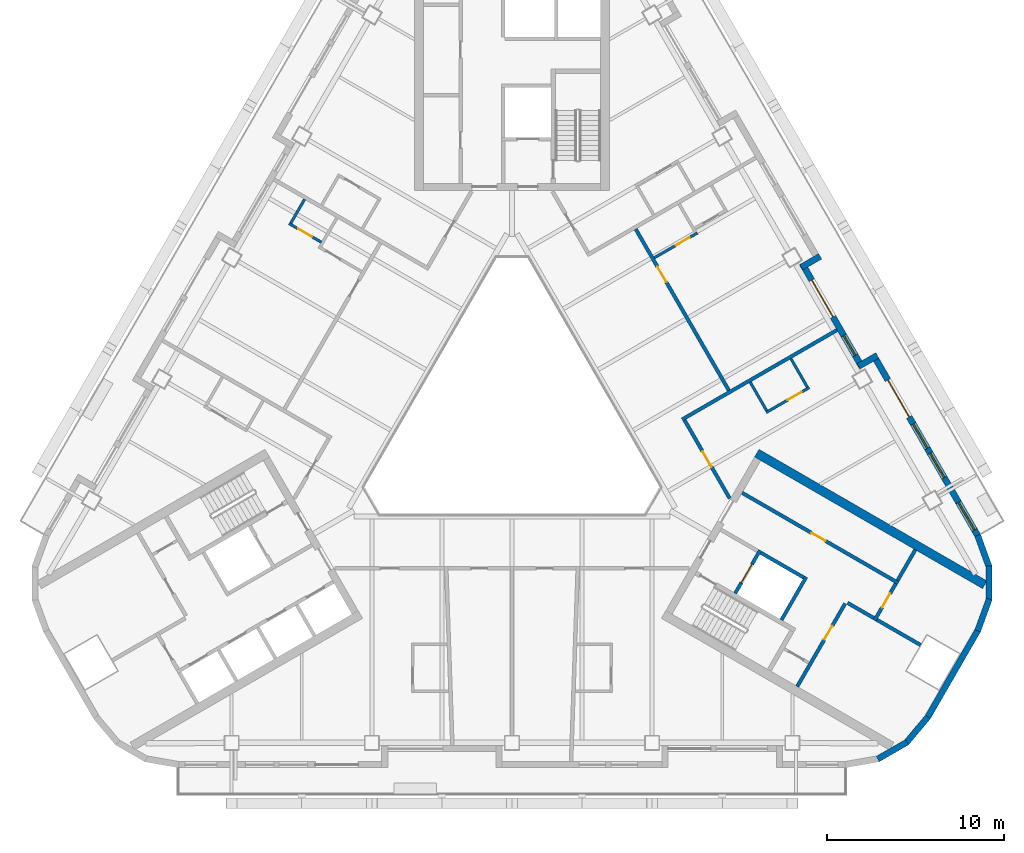
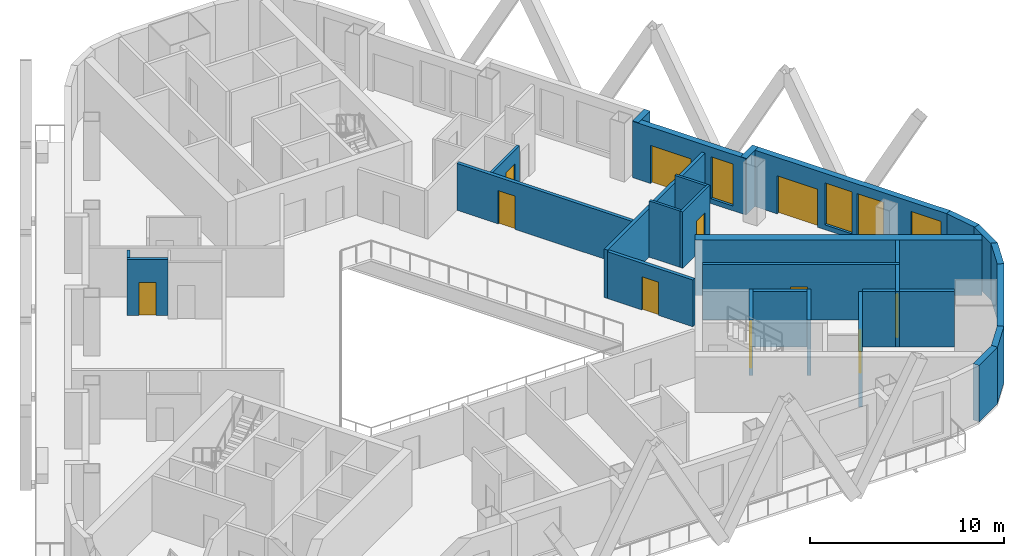
# One storey, part 5 of 13: 29 walls, 11 doors, 4 windows, 15 openings.
"""IFC4 building model written with IfcOpenShell, lengths in metres."""

import ifcopenshell
import ifcopenshell.guid

model = None  # the IFC model being written
_history = None  # IfcOwnerHistory: only IFC2X3 demands one
_inside = {}  # id of a spatial element -> (the spatial element, [elements in it])
_under = {}  # id of a project, library or spatial element -> (it, [spatial elements below it])
_declared = {}  # id of a project -> (the project, [libraries it declares])
_typed = {}  # id of a type object -> (the type object, [elements of that type])
_made_of = {}  # id of a material, layer set ... -> (it, [elements and type objects made of it])


def new_model(schema):
    """Start an empty IFC model of exactly this schema.

    Asked for "IFC4X3", IfcOpenShell would pick the latest addendum, in which some entities
    have other attributes; the version numbers below select the first issue.
    IFC2X3 requires an IfcOwnerHistory on every rooted entity: one is made here for all.
    """
    global model, _history
    if schema == "IFC4X3":
        model = ifcopenshell.file(schema_version=(4, 3, 0, 0))
    else:
        model = ifcopenshell.file(schema=schema)
    _inside.clear()
    _under.clear()
    _declared.clear()
    _typed.clear()
    _made_of.clear()
    _history = None
    if model.schema == "IFC2X3":
        org = make("IfcOrganization", Name="unknown")
        user = make(
            "IfcPersonAndOrganization",
            ThePerson=make("IfcPerson", FamilyName="unknown"),
            TheOrganization=org,
        )
        app = make(
            "IfcApplication",
            ApplicationDeveloper=org,
            Version="unknown",
            ApplicationFullName="unknown",
            ApplicationIdentifier="unknown",
        )
        _history = make(
            "IfcOwnerHistory",
            OwningUser=user,
            OwningApplication=app,
            ChangeAction="ADDED",
            CreationDate=0,
        )
    return model


def make(cls, **values):
    """One entity of the class cls with the attributes given. An attribute that is None is left unset."""
    return model.create_entity(
        cls, **{name: value for name, value in values.items() if value is not None}
    )


def rooted(cls, **values):
    """An entity with a GlobalId (a new one), such as an element, a storey or a relation."""
    return make(cls, GlobalId=ifcopenshell.guid.new(), OwnerHistory=_history, **values)


def si_unit(unit_type, name, prefix=None):
    """IfcSIUnit, for example si_unit("LENGTHUNIT", "METRE", prefix="MILLI")."""
    return make("IfcSIUnit", UnitType=unit_type, Prefix=prefix, Name=name)


def assignment(units):
    """IfcUnitAssignment: the units of a project."""
    return None if units is None else make("IfcUnitAssignment", Units=units)


def point(xyz):
    """IfcCartesianPoint."""
    return None if xyz is None else make("IfcCartesianPoint", Coordinates=xyz)


def direction(xyz):
    """IfcDirection."""
    return None if xyz is None else make("IfcDirection", DirectionRatios=xyz)


def frame(location, z_axis=None, x_axis=None):
    """IfcAxis2Placement3D, a coordinate frame: its origin and axes. An axis left out is left unset."""
    return make(
        "IfcAxis2Placement3D",
        Location=point(location),
        Axis=direction(z_axis),
        RefDirection=direction(x_axis),
    )


def frame_2d(location, x_axis=None):
    """IfcAxis2Placement2D, a coordinate frame in the plane: its origin and x axis."""
    return make(
        "IfcAxis2Placement2D", Location=point(location), RefDirection=direction(x_axis)
    )


def origin():
    """The frame at (0, 0, 0) with its axes left unset."""
    return frame((0.0, 0.0, 0.0))


def place(relative_to, where):
    """IfcLocalPlacement: puts the frame where relative to a parent placement (None: the world)."""
    return make(
        "IfcLocalPlacement", PlacementRelTo=relative_to, RelativePlacement=where
    )


def context(
    kind, dimensions, precision=None, world=None, true_north=None, identifier=None
):
    """IfcGeometricRepresentationContext, for example the 3D "Model" context."""
    return make(
        "IfcGeometricRepresentationContext",
        ContextIdentifier=identifier,
        ContextType=kind,
        CoordinateSpaceDimension=dimensions,
        Precision=precision,
        WorldCoordinateSystem=world,
        TrueNorth=true_north,
    )


def subcontext(parent, identifier, kind, view, scale=None):
    """IfcGeometricRepresentationSubContext, for example "Body" below "Model"."""
    return make(
        "IfcGeometricRepresentationSubContext",
        ContextIdentifier=identifier,
        ContextType=kind,
        ParentContext=parent,
        TargetScale=scale,
        TargetView=view,
    )


def project(units=None, contexts=None):
    """IfcProject with its units and contexts."""
    return rooted(
        "IfcProject",
        Name="project",
        RepresentationContexts=contexts,
        UnitsInContext=assignment(units),
    )


def spatial(cls, under=None, at=None, **own):
    """A site, building, storey or space (cls), placed at a placement, below another one or the project."""
    s = rooted(cls, ObjectPlacement=at, **own)
    if under is not None:
        _under.setdefault(under.id(), (under, []))[1].append(s)
    return s


def profile(cls, at=None, kind="AREA", **sizes):
    """A parametric profile (cls). Its sizes go by their IFC names, for example OverallWidth=200.0."""
    return make(cls, ProfileType=kind, Position=at, **sizes)


def rectangle(**sizes):
    """IfcRectangleProfileDef."""
    return profile("IfcRectangleProfileDef", **sizes)


def extrude(swept, where, along, depth):
    """IfcExtrudedAreaSolid: the profile swept, set in the frame where, extruded along a direction by depth."""
    return make(
        "IfcExtrudedAreaSolid",
        SweptArea=swept,
        Position=where,
        ExtrudedDirection=direction(along),
        Depth=depth,
    )


def shape(context_of_items, identifier, shape_type, items):
    """IfcShapeRepresentation: the items that make up one representation, for example the "Body"."""
    return make(
        "IfcShapeRepresentation",
        ContextOfItems=context_of_items,
        RepresentationIdentifier=identifier,
        RepresentationType=shape_type,
        Items=items,
    )


def material(Name=None, Category=None):
    """IfcMaterial."""
    return make("IfcMaterial", Name=Name, Category=Category)


def layer(
    of_material, thickness, ventilated=None, Name=None, Category=None, Priority=None
):
    """IfcMaterialLayer: one layer of a wall or slab, of a material (None: an air gap)."""
    return make(
        "IfcMaterialLayer",
        Material=of_material,
        LayerThickness=thickness,
        IsVentilated=ventilated,
        Name=Name,
        Category=Category,
        Priority=Priority,
    )


def layer_set(layers, Name=None):
    """IfcMaterialLayerSet."""
    return make("IfcMaterialLayerSet", MaterialLayers=layers, LayerSetName=Name)


def made_of(thing, what):
    """Note that an element or type object is made of a material, layer set ...; save() writes the relation."""
    if what is not None:
        _made_of.setdefault(what.id(), (what, []))[1].append(thing)
    return thing


def type_object(cls, material=None, **own):
    """A type object (cls), such as IfcWallType, which elements share."""
    return made_of(rooted(cls, **own), material)


def element(
    cls,
    number,
    at=None,
    inside=None,
    cuts=None,
    type_object=None,
    material=None,
    context=None,
    identifier="Body",
    shape_type=None,
    held_by="IfcProductDefinitionShape",
    body=None,
    shapes=None,
    **own,
):
    """One element of the class cls, such as IfcWall. Its Tag is "e" and its number.

    at: its placement. inside: the storey or other place that contains it. cuts: it is an
    opening in that element (IfcRelVoidsElement). A single representation is given by context,
    identifier, shape_type and body (its items); several are given by shapes. held_by: the class
    of the entity that holds the representations. save() writes the other relations.
    """
    e = rooted(cls, Tag="e%d" % number, ObjectPlacement=at, **own)
    if body is not None:
        shapes = [shape(context, identifier, shape_type, body)]
    if shapes is not None:
        e.Representation = make(held_by, Representations=shapes)
    if inside is not None:
        _inside.setdefault(inside.id(), (inside, []))[1].append(e)
    if cuts is not None:
        rooted(
            "IfcRelVoidsElement", RelatingBuildingElement=cuts, RelatedOpeningElement=e
        )
    if type_object is not None:
        _typed.setdefault(type_object.id(), (type_object, []))[1].append(e)
    return made_of(e, material)


def fill(opening, filler):
    """IfcRelFillsElement: the door or window that sits in an opening."""
    return rooted(
        "IfcRelFillsElement",
        RelatingOpeningElement=opening,
        RelatedBuildingElement=filler,
    )


def aggregate(whole, parts):
    """IfcRelAggregates: a whole, such as a stair, and the parts it consists of."""
    return rooted("IfcRelAggregates", RelatingObject=whole, RelatedObjects=parts)


def save(model, path):
    """Write the relations noted so far, then the file.

    IfcRelAggregates (storeys below a building ...), IfcRelContainedInSpatialStructure (elements
    in a storey), IfcRelDefinesByType, IfcRelAssociatesMaterial and IfcRelDeclares: one each for
    every whole, place, type object, material and project.
    """
    for whole, parts in _under.values():
        aggregate(whole, parts)
    for where, things in _inside.values():
        rooted(
            "IfcRelContainedInSpatialStructure",
            RelatedElements=things,
            RelatingStructure=where,
        )
    for kind, things in _typed.values():
        rooted("IfcRelDefinesByType", RelatedObjects=things, RelatingType=kind)
    for what, things in _made_of.values():
        rooted("IfcRelAssociatesMaterial", RelatedObjects=things, RelatingMaterial=what)
    for by, libraries in _declared.values():
        rooted("IfcRelDeclares", RelatingContext=by, RelatedDefinitions=libraries)
    model.write(path)


model = new_model("IFC4")

# Units and contexts
model_context = context("Model", 3, precision=1e-05, world=origin(), true_north=direction((0.0, 1.0)))
body_context = subcontext(model_context, "Body", "Model", "MODEL_VIEW")
ifc_project = project(units=[si_unit("LENGTHUNIT", "METRE"), si_unit("AREAUNIT", "SQUARE_METRE"), si_unit("VOLUMEUNIT", "CUBIC_METRE"), si_unit("PLANEANGLEUNIT", "RADIAN"), si_unit("MASSUNIT", "GRAM", prefix="KILO")], contexts=[model_context])

# Site, building, storey
site_placement = place(None, origin())
site = spatial("IfcSite", under=ifc_project, at=site_placement, CompositionType="ELEMENT")
building_placement = place(site_placement, origin())
building = spatial("IfcBuilding", under=site, at=building_placement, Name="Apuvela Tower Hotel", CompositionType="ELEMENT")
storey_placement = place(building_placement, frame((0.0, 0.0, 183.60009765625)))
storey = spatial("IfcBuildingStorey", under=building, at=storey_placement, Name="L44", CompositionType="ELEMENT", Elevation=183.60009765625)

# Wall
ifc_material_1 = material(Name="Concrete C50/60", Category="concrete")
ifc_layer_1 = layer(ifc_material_1, 0.5)
ifc_layer_set_1 = layer_set([ifc_layer_1], Name="COR-WALL-CORE-500")
wall_type_1 = type_object("IfcWallType", Name="COR-WALL-CORE-500", PredefinedType="SHEAR", material=ifc_layer_set_1)
wall_1_placement = place(storey_placement, frame((13.796630859375, -1.9033203125, 0.0), z_axis=(0.0, 0.0, 1.0), x_axis=(0.866025009528, -0.500000682871, 0.0)))
element("IfcWall", 1, at=wall_1_placement, inside=storey, type_object=wall_type_1, Name="Core wall SE", PredefinedType="SHEAR", context=body_context, shape_type="SweptSolid", body=[
    extrude(rectangle(XDim=14.8369140625, YDim=0.5, at=frame_2d((7.41845703125, 0.0))), origin(), (0.0, 0.0, 1.0), 3.5),
])

# Wall, opening, door
ifc_material_2 = material(Name="Blockwork 200 mm plastered", Category="masonry")
ifc_layer_2 = layer(ifc_material_2, 0.199951171875)
ifc_layer_set_2 = layer_set([ifc_layer_2], Name="COR-WALL-PART-200")
wall_type_2 = type_object("IfcWallType", Name="COR-WALL-PART-200", PredefinedType="PARTITIONING", material=ifc_layer_set_2)
wall_2_placement = place(storey_placement, frame((16.076171875, -15.05517578125, 0.0), z_axis=(0.0, 0.0, 1.0), x_axis=(0.499995103361, 0.866028230842, 0.0)))
wall_2 = element("IfcWall", 2, at=wall_2_placement, inside=storey, type_object=wall_type_2, Name="Partition SE", PredefinedType="PARTITIONING", context=body_context, shape_type="SweptSolid", body=[
    extrude(rectangle(XDim=5.39990234375, YDim=0.199951171875, at=frame_2d((2.699951171875, 0.0))), origin(), (0.0, 0.0, 1.0), 3.5),
])
opening_1_placement = place(wall_2_placement, frame((3.050048828125, 0.0, 0.0)))
opening_1 = element("IfcOpeningElement", 3, at=opening_1_placement, cuts=wall_2, Name="Opening E-RS1", PredefinedType="OPENING", context=body_context, shape_type="SweptSolid", body=[
    extrude(rectangle(XDim=0.89990234375, YDim=2.10009765625, at=frame_2d((0.449951171875, 1.050048828125))), frame((0.0, 0.10986328125, 0.0), z_axis=(0.0, -1.0, 0.0), x_axis=(1.0, 0.0, 0.0)), (0.0, 0.0, 1.0), 0.219970703125),
])
ifc_material_3 = material(Name="Steel fire door, powder coated", Category="steel")
door_type_1 = type_object("IfcDoorType", Name="COR-DR-900", OperationType="NOTDEFINED", PredefinedType="DOOR", material=ifc_material_3)
door_1_placement = place(opening_1_placement, frame((0.89990234375, 0.0, 0.0), z_axis=(0.0, 0.0, 1.0), x_axis=(-1.0, 0.0, 0.0)))
door_1 = element("IfcDoor", 4, at=door_1_placement, inside=storey, type_object=door_type_1, Name="Store door E-RS1", OperationType="SINGLE_SWING_LEFT", OverallHeight=2.10009765625, OverallWidth=0.89990234375, PredefinedType="DOOR", context=body_context, shape_type="SweptSolid", body=[
    extrude(rectangle(XDim=0.89990234375, YDim=2.10009765625, at=frame_2d((0.449951171875, 1.050048828125))), frame((0.0, 0.02490234375, 0.0), z_axis=(0.0, -1.0, 0.0), x_axis=(1.0, 0.0, 0.0)), (0.0, 0.0, 1.0), 0.050048828125),
])
fill(opening_1, door_1)

# Wall
ifc_layer_3 = layer(ifc_material_1, 0.199951171875)
ifc_layer_set_3 = layer_set([ifc_layer_3], Name="COR-WALL-SHAFT-200")
wall_type_3 = type_object("IfcWallType", Name="COR-WALL-SHAFT-200", PredefinedType="SHEAR", material=ifc_layer_set_3)
wall_3_placement = place(storey_placement, frame((15.181396484375, -11.305419921875, 0.0), z_axis=(0.0, 0.0, 1.0), x_axis=(0.49994636267, 0.866056369097, 0.0)))
element("IfcWall", 5, at=wall_3_placement, inside=storey, type_object=wall_type_3, Name="Shaft wall SE", PredefinedType="SHEAR", context=body_context, shape_type="SweptSolid", body=[
    extrude(rectangle(XDim=2.800048828125, YDim=0.199951171875, at=frame_2d((1.39990234375, 0.0))), origin(), (0.0, 0.0, 1.0), 3.5),
])

# Wall, opening, door
wall_4_placement = place(storey_placement, frame((12.583251953125, -9.805419921875, 0.0), z_axis=(0.0, 0.0, 1.0), x_axis=(0.49994636267, 0.866056369097, 0.0)))
wall_4 = element("IfcWall", 6, at=wall_4_placement, inside=storey, type_object=wall_type_3, Name="Shaft wall SE", PredefinedType="SHEAR", context=body_context, shape_type="SweptSolid", body=[
    extrude(rectangle(XDim=2.800048828125, YDim=0.199951171875, at=frame_2d((1.39990234375, 0.0))), origin(), (0.0, 0.0, 1.0), 3.5),
])
opening_2_placement = place(wall_4_placement, frame((0.699951171875, 0.0, 0.0)))
opening_2 = element("IfcOpeningElement", 7, at=opening_2_placement, cuts=wall_4, Name="Opening E-LD-FS3", PredefinedType="OPENING", context=body_context, shape_type="SweptSolid", body=[
    extrude(rectangle(XDim=1.199951171875, YDim=2.10009765625, at=frame_2d((0.60009765625, 1.050048828125))), frame((0.0, 0.10986328125, 0.0), z_axis=(0.0, -1.0, 0.0), x_axis=(1.0, 0.0, 0.0)), (0.0, 0.0, 1.0), 0.219970703125),
])
ifc_material_4 = material(Name="Stainless steel lift landing door", Category="steel")
door_type_2 = type_object("IfcDoorType", Name="COR-LD-1200", OperationType="DOUBLE_DOOR_SLIDING", PredefinedType="DOOR", material=ifc_material_4)
door_2_placement = place(opening_2_placement, origin())
door_2 = element("IfcDoor", 8, at=door_2_placement, inside=storey, type_object=door_type_2, Name="Lift landing door E-LD-FS3", OperationType="DOUBLE_DOOR_SLIDING", OverallHeight=2.10009765625, OverallWidth=1.199951171875, PredefinedType="DOOR", context=body_context, shape_type="SweptSolid", body=[
    extrude(rectangle(XDim=1.199951171875, YDim=2.10009765625, at=frame_2d((0.60009765625, 1.050048828125))), frame((0.0, 0.02490234375, 0.0), z_axis=(0.0, -1.0, 0.0), x_axis=(1.0, 0.0, 0.0)), (0.0, 0.0, 1.0), 0.050048828125),
])
fill(opening_2, door_2)

# Wall
wall_5_placement = place(storey_placement, frame((14.019775390625, -7.51708984375, 0.0), z_axis=(0.0, 0.0, 1.0), x_axis=(0.866034573852, -0.49998411664, 0.0)))
element("IfcWall", 9, at=wall_5_placement, inside=storey, type_object=wall_type_3, Name="Shaft wall SE", PredefinedType="SHEAR", context=body_context, shape_type="SweptSolid", body=[
    extrude(rectangle(XDim=2.7998046875, YDim=0.199951171875, at=frame_2d((1.39990234375, 0.0))), origin(), (0.0, 0.0, 1.0), 3.5),
])

# Wall, opening, door
wall_6_placement = place(storey_placement, frame((12.968017578125, -4.138427734375, 0.0), z_axis=(0.0, 0.0, 1.0), x_axis=(0.866028328073, -0.49999493495, 0.0)))
wall_6 = element("IfcWall", 10, at=wall_6_placement, inside=storey, type_object=wall_type_3, Name="Shaft wall SE", PredefinedType="SHEAR", context=body_context, shape_type="SweptSolid", body=[
    extrude(rectangle(XDim=10.16015625, YDim=0.199951171875, at=frame_2d((5.080078125, 0.0))), origin(), (0.0, 0.0, 1.0), 3.5),
])
opening_3_placement = place(wall_6_placement, frame((4.530029296875, 0.0, 0.0)))
opening_3 = element("IfcOpeningElement", 11, at=opening_3_placement, cuts=wall_6, Name="Opening E-RE1", PredefinedType="OPENING", context=body_context, shape_type="SweptSolid", body=[
    extrude(rectangle(XDim=0.89990234375, YDim=2.10009765625, at=frame_2d((0.449951171875, 1.050048828125))), frame((0.0, 0.10986328125, 0.0), z_axis=(0.0, -1.0, 0.0), x_axis=(1.0, 0.0, 0.0)), (0.0, 0.0, 1.0), 0.219970703125),
])
door_3_placement = place(opening_3_placement, origin())
door_3 = element("IfcDoor", 12, at=door_3_placement, inside=storey, type_object=door_type_1, Name="Store door E-RE1", OperationType="SINGLE_SWING_LEFT", OverallHeight=2.10009765625, OverallWidth=0.89990234375, PredefinedType="DOOR", context=body_context, shape_type="SweptSolid", body=[
    extrude(rectangle(XDim=0.89990234375, YDim=2.10009765625, at=frame_2d((0.449951171875, 1.050048828125))), frame((0.0, 0.02490234375, 0.0), z_axis=(0.0, -1.0, 0.0), x_axis=(1.0, 0.0, 0.0)), (0.0, 0.0, 1.0), 0.050048828125),
])
fill(opening_3, door_3)

wall_7_placement = place(storey_placement, frame((20.430419921875, -11.33349609375, 0.0), z_axis=(0.0, 0.0, 1.0), x_axis=(0.500001309137, 0.866024647952, 0.0)))
wall_7 = element("IfcWall", 13, at=wall_7_placement, inside=storey, type_object=wall_type_3, Name="Shaft wall SE", PredefinedType="SHEAR", context=body_context, shape_type="SweptSolid", body=[
    extrude(rectangle(XDim=2.39990234375, YDim=0.199951171875, at=frame_2d((1.199951171875, 0.0))), origin(), (0.0, 0.0, 1.0), 3.5),
])
opening_4_placement = place(wall_7_placement, frame((0.85009765625, 0.0, 0.0)))
opening_4 = element("IfcOpeningElement", 14, at=opening_4_placement, cuts=wall_7, Name="Opening E-REP", PredefinedType="OPENING", context=body_context, shape_type="SweptSolid", body=[
    extrude(rectangle(XDim=0.89990234375, YDim=2.10009765625, at=frame_2d((0.449951171875, 1.050048828125))), frame((0.0, 0.10986328125, 0.0), z_axis=(0.0, -1.0, 0.0), x_axis=(1.0, 0.0, 0.0)), (0.0, 0.0, 1.0), 0.219970703125),
])
door_4_placement = place(opening_4_placement, frame((0.89990234375, 0.0, 0.0), z_axis=(0.0, 0.0, 1.0), x_axis=(-1.0, 0.0, 0.0)))
door_4 = element("IfcDoor", 15, at=door_4_placement, inside=storey, type_object=door_type_1, Name="Store door E-REP", OperationType="SINGLE_SWING_RIGHT", OverallHeight=2.10009765625, OverallWidth=0.89990234375, PredefinedType="DOOR", context=body_context, shape_type="SweptSolid", body=[
    extrude(rectangle(XDim=0.89990234375, YDim=2.10009765625, at=frame_2d((0.449951171875, 1.050048828125))), frame((0.0, 0.02490234375, 0.0), z_axis=(0.0, -1.0, 0.0), x_axis=(1.0, 0.0, 0.0)), (0.0, 0.0, 1.0), 0.050048828125),
])
fill(opening_4, door_4)

# Walls
wall_8_placement = place(storey_placement, frame((18.912841796875, -10.342041015625, 0.0), z_axis=(0.0, 0.0, 1.0), x_axis=(0.866038183914, -0.499977863513, 0.0)))
element("IfcWall", 16, at=wall_8_placement, inside=storey, type_object=wall_type_3, Name="Shaft wall SE", PredefinedType="SHEAR", context=body_context, shape_type="SweptSolid", body=[
    extrude(rectangle(XDim=1.7099609375, YDim=0.199951171875, at=frame_2d((0.85498046875, 0.0))), origin(), (0.0, 0.0, 1.0), 3.5),
])
wall_9_placement = place(storey_placement, frame((21.73046875, -9.081787109375, 0.0), z_axis=(0.0, 0.0, 1.0), x_axis=(0.50002537861, 0.866010750942, 0.0)))
element("IfcWall", 17, at=wall_9_placement, inside=storey, type_object=wall_type_3, Name="Shaft wall SE", PredefinedType="SHEAR", context=body_context, shape_type="SweptSolid", body=[
    extrude(rectangle(XDim=2.0, YDim=0.199951171875, at=frame_2d((1.0, 0.0))), origin(), (0.0, 0.0, 1.0), 3.5),
])
wall_10_placement = place(storey_placement, frame((20.56689453125, -11.297119140625, 0.0), z_axis=(0.0, 0.0, 1.0), x_axis=(0.866055327414, -0.49994816717, 0.0)))
element("IfcWall", 18, at=wall_10_placement, inside=storey, type_object=wall_type_3, Name="Shaft wall SE", PredefinedType="SHEAR", context=body_context, shape_type="SweptSolid", body=[
    extrude(rectangle(XDim=2.840087890625, YDim=0.199951171875, at=frame_2d((1.419921875, 0.0))), origin(), (0.0, 0.0, 1.0), 3.5),
])
ifc_material_5 = material(Name="Concrete C40/50, dark pigmented precast panel", Category="concrete")
ifc_layer_4 = layer(ifc_material_5, 0.35009765625)
ifc_layer_set_4 = layer_set([ifc_layer_4], Name="ENV-WALL-350")
wall_type_4 = type_object("IfcWallType", Name="ENV-WALL-350", PredefinedType="SOLIDWALL", material=ifc_layer_set_4)
for number, where, z_axis, x_axis, name in (
    (19, (20.609619140625, -19.146728515625, 0.0), (0.0, 0.0, 1.0), (0.866000389056, 0.500043324278, 0.0), "External wall L44-27"),
    (20, (22.21728515625, -18.230712890625, 0.0), (0.0, 0.0, 1.0), (0.642733291068, 0.76609001857, 0.0), "External wall L44-28"),
):
    element("IfcWall", number, at=place(storey_placement, frame(where, z_axis=z_axis, x_axis=x_axis)), inside=storey, type_object=wall_type_4, Name=name, PredefinedType="SOLIDWALL", context=body_context, shape_type="SweptSolid", body=[
        extrude(rectangle(XDim=1.909912109375, YDim=0.35009765625, at=frame_2d((0.955078125, 0.0))), origin(), (0.0, 0.0, 1.0), 3.5498046875),
    ])
wall_11_placement = place(storey_placement, frame((23.427490234375, -16.79248046875, 0.0), z_axis=(0.0, 0.0, 1.0), x_axis=(0.500018773155, 0.866014564827, 0.0)))
element("IfcWall", 21, at=wall_11_placement, inside=storey, type_object=wall_type_4, Name="External wall L44-29", PredefinedType="SOLIDWALL", context=body_context, shape_type="SweptSolid", body=[
    extrude(rectangle(XDim=5.657958984375, YDim=0.35009765625, at=frame_2d((2.8291015625, 0.0))), origin(), (0.0, 0.0, 1.0), 3.5498046875),
])
for number, where, z_axis, x_axis, name in (
    (22, (26.24365234375, -11.920166015625, 0.0), (0.0, 0.0, 1.0), (0.342030395486, 0.939688889242, 0.0), "External wall L44-30"),
    (23, (26.88623046875, -10.18505859375, 0.0), (0.0, 0.0, 1.0), (0.0, 1.0, 0.0), "External wall L44-31"),
    (24, (26.89697265625, -8.334716796875, 0.0), (0.0, 0.0, 1.0), (-0.342030395486, 0.939688889242, 0.0), "External wall L44-32"),
):
    element("IfcWall", number, at=place(storey_placement, frame(where, z_axis=z_axis, x_axis=x_axis)), inside=storey, type_object=wall_type_4, Name=name, PredefinedType="SOLIDWALL", context=body_context, shape_type="SweptSolid", body=[
        extrude(rectangle(XDim=1.91015625, YDim=0.35009765625, at=frame_2d((0.955078125, 0.0))), origin(), (0.0, 0.0, 1.0), 3.5498046875),
    ])

# Wall, openings, door, windows
wall_12_placement = place(storey_placement, frame((26.256591796875, -6.5673828125, 0.0), z_axis=(0.0, 0.0, 1.0), x_axis=(-0.500023526245, 0.866011820475, 0.0)))
wall_12 = element("IfcWall", 25, at=wall_12_placement, inside=storey, type_object=wall_type_4, Name="External wall L44-33", PredefinedType="SOLIDWALL", context=body_context, shape_type="SweptSolid", body=[
    extrude(rectangle(XDim=11.81591796875, YDim=0.35009765625, at=frame_2d((5.907958984375, 0.0))), origin(), (0.0, 0.0, 1.0), 3.5498046875),
])
opening_5_placement = place(wall_12_placement, frame((0.380126953125, 0.0, 0.300048828125)))
opening_5 = element("IfcOpeningElement", 26, at=opening_5_placement, cuts=wall_12, Name="Opening WN18", PredefinedType="OPENING", context=body_context, shape_type="SweptSolid", body=[
    extrude(rectangle(XDim=1.800048828125, YDim=2.64990234375, at=frame_2d((0.89990234375, 1.324951171875))), frame((0.0, 0.18505859375, 0.0), z_axis=(0.0, -1.0, 0.0), x_axis=(1.0, 0.0, 0.0)), (0.0, 0.0, 1.0), 0.3701171875),
])
opening_6_placement = place(wall_12_placement, frame((7.7412109375, 0.0, 0.0)))
opening_6 = element("IfcOpeningElement", 27, at=opening_6_placement, cuts=wall_12, Name="Opening BD24", PredefinedType="OPENING", context=body_context, shape_type="SweptSolid", body=[
    extrude(rectangle(XDim=2.39990234375, YDim=2.39990234375, at=frame_2d((1.199951171875, 1.199951171875))), frame((0.0, 0.18505859375, 0.0), z_axis=(0.0, -1.0, 0.0), x_axis=(1.0, 0.0, 0.0)), (0.0, 0.0, 1.0), 0.3701171875),
])
opening_7_placement = place(wall_12_placement, frame((3.791015625, 0.0, 0.300048828125)))
opening_7 = element("IfcOpeningElement", 28, at=opening_7_placement, cuts=wall_12, Name="Opening WN16", PredefinedType="OPENING", context=body_context, shape_type="SweptSolid", body=[
    extrude(rectangle(XDim=1.60009765625, YDim=2.64990234375, at=frame_2d((0.800048828125, 1.324951171875))), frame((0.0, 0.18505859375, 0.0), z_axis=(0.0, -1.0, 0.0), x_axis=(1.0, 0.0, 0.0)), (0.0, 0.0, 1.0), 0.3701171875),
])
opening_8_placement = place(wall_12_placement, frame((5.69091796875, 0.0, 0.300048828125)))
opening_8 = element("IfcOpeningElement", 29, at=opening_8_placement, cuts=wall_12, Name="Opening WN16", PredefinedType="OPENING", context=body_context, shape_type="SweptSolid", body=[
    extrude(rectangle(XDim=1.60009765625, YDim=2.64990234375, at=frame_2d((0.800048828125, 1.324951171875))), frame((0.0, 0.18505859375, 0.0), z_axis=(0.0, -1.0, 0.0), x_axis=(1.0, 0.0, 0.0)), (0.0, 0.0, 1.0), 0.3701171875),
])
ifc_material_6 = material(Name="Aluminium 6063-T6, dark bronze anodised frame with dark tinted laminated glass", Category="aluminium")
door_type_3 = type_object("IfcDoorType", Name="ENV-DOOR-BALCONY-2400x2400", OperationType="SLIDING_TO_LEFT", PredefinedType="DOOR", material=ifc_material_6)
door_5_placement = place(opening_6_placement, frame((2.39990234375, 0.0, 0.0), z_axis=(0.0, 0.0, 1.0), x_axis=(-1.0, 0.0, 0.0)))
door_5 = element("IfcDoor", 30, at=door_5_placement, inside=storey, type_object=door_type_3, Name="Balcony door BD24", OperationType="SLIDING_TO_LEFT", OverallHeight=2.39990234375, OverallWidth=2.39990234375, PredefinedType="DOOR", context=body_context, shape_type="SweptSolid", body=[
    extrude(rectangle(XDim=2.39990234375, YDim=2.39990234375, at=frame_2d((1.199951171875, 1.199951171875))), frame((0.0, 0.02490234375, 0.0), z_axis=(0.0, -1.0, 0.0), x_axis=(1.0, 0.0, 0.0)), (0.0, 0.0, 1.0), 0.050048828125),
])
fill(opening_6, door_5)
ifc_material_7 = material(Name="Glass, dark tinted laminated insulated glazing unit", Category="glass")
window_type_1 = type_object("IfcWindowType", Name="ENV-WIN-1600x2650", PartitioningType="SINGLE_PANEL", PredefinedType="WINDOW", material=ifc_material_7)
window_1_placement = place(opening_7_placement, origin())
window_1 = element("IfcWindow", 31, at=window_1_placement, inside=storey, type_object=window_type_1, Name="Window WN16", OverallHeight=2.64990234375, OverallWidth=1.60009765625, PartitioningType="SINGLE_PANEL", PredefinedType="WINDOW", context=body_context, shape_type="SweptSolid", body=[
    extrude(rectangle(XDim=1.60009765625, YDim=2.64990234375, at=frame_2d((0.800048828125, 1.324951171875))), frame((0.0, 0.030029296875, 0.0), z_axis=(0.0, -1.0, 0.0), x_axis=(1.0, 0.0, 0.0)), (0.0, 0.0, 1.0), 0.06005859375),
])
fill(opening_7, window_1)
window_2_placement = place(opening_8_placement, origin())
window_2 = element("IfcWindow", 32, at=window_2_placement, inside=storey, type_object=window_type_1, Name="Window WN16", OverallHeight=2.64990234375, OverallWidth=1.60009765625, PartitioningType="SINGLE_PANEL", PredefinedType="WINDOW", context=body_context, shape_type="SweptSolid", body=[
    extrude(rectangle(XDim=1.60009765625, YDim=2.64990234375, at=frame_2d((0.800048828125, 1.324951171875))), frame((0.0, 0.030029296875, 0.0), z_axis=(0.0, -1.0, 0.0), x_axis=(1.0, 0.0, 0.0)), (0.0, 0.0, 1.0), 0.06005859375),
])
fill(opening_8, window_2)
window_type_2 = type_object("IfcWindowType", Name="ENV-WIN-1800x2650", PartitioningType="SINGLE_PANEL", PredefinedType="WINDOW", material=ifc_material_7)
window_3_placement = place(opening_5_placement, origin())
window_3 = element("IfcWindow", 33, at=window_3_placement, inside=storey, type_object=window_type_2, Name="Window WN18", OverallHeight=2.64990234375, OverallWidth=1.800048828125, PartitioningType="SINGLE_PANEL", PredefinedType="WINDOW", context=body_context, shape_type="SweptSolid", body=[
    extrude(rectangle(XDim=1.800048828125, YDim=2.64990234375, at=frame_2d((0.89990234375, 1.324951171875))), frame((0.0, 0.030029296875, 0.0), z_axis=(0.0, -1.0, 0.0), x_axis=(1.0, 0.0, 0.0)), (0.0, 0.0, 1.0), 0.06005859375),
])
fill(opening_5, window_3)

# Wall
wall_13_placement = place(storey_placement, frame((20.587646484375, 3.601318359375, 0.0), z_axis=(0.0, 0.0, 1.0), x_axis=(-0.866005645448, -0.500034220881, 0.0)))
element("IfcWall", 34, at=wall_13_placement, inside=storey, type_object=wall_type_4, Name="External wall L44-34", PredefinedType="SOLIDWALL", context=body_context, shape_type="SweptSolid", body=[
    extrude(rectangle(XDim=1.22021484375, YDim=0.35009765625, at=frame_2d((0.610107421875, 0.0))), origin(), (0.0, 0.0, 1.0), 3.5498046875),
])

# Wall, openings, door, window
wall_14_placement = place(storey_placement, frame((19.72900390625, 2.93798828125, 0.0), z_axis=(0.0, 0.0, 1.0), x_axis=(-0.499976430342, 0.866039011305, 0.0)))
wall_14 = element("IfcWall", 35, at=wall_14_placement, inside=storey, type_object=wall_type_4, Name="External wall L44-35", PredefinedType="SOLIDWALL", context=body_context, shape_type="SweptSolid", body=[
    extrude(rectangle(XDim=6.739990234375, YDim=0.35009765625, at=frame_2d((3.3701171875, 0.0))), origin(), (0.0, 0.0, 1.0), 3.5498046875),
])
opening_9_placement = place(wall_14_placement, frame((0.77001953125, 0.0, 0.300048828125)))
opening_9 = element("IfcOpeningElement", 36, at=opening_9_placement, cuts=wall_14, Name="Opening WN13", PredefinedType="OPENING", context=body_context, shape_type="SweptSolid", body=[
    extrude(rectangle(XDim=1.300048828125, YDim=2.64990234375, at=frame_2d((0.64990234375, 1.324951171875))), frame((0.0, 0.18505859375, 0.0), z_axis=(0.0, -1.0, 0.0), x_axis=(1.0, 0.0, 0.0)), (0.0, 0.0, 1.0), 0.3701171875),
])
opening_10_placement = place(wall_14_placement, frame((3.270263671875, 0.0, 0.0)))
opening_10 = element("IfcOpeningElement", 37, at=opening_10_placement, cuts=wall_14, Name="Opening BD24", PredefinedType="OPENING", context=body_context, shape_type="SweptSolid", body=[
    extrude(rectangle(XDim=2.39990234375, YDim=2.39990234375, at=frame_2d((1.199951171875, 1.199951171875))), frame((0.0, 0.18505859375, 0.0), z_axis=(0.0, -1.0, 0.0), x_axis=(1.0, 0.0, 0.0)), (0.0, 0.0, 1.0), 0.3701171875),
])
door_6_placement = place(opening_10_placement, frame((2.39990234375, 0.0, 0.0), z_axis=(0.0, 0.0, 1.0), x_axis=(-1.0, 0.0, 0.0)))
door_6 = element("IfcDoor", 38, at=door_6_placement, inside=storey, type_object=door_type_3, Name="Balcony door BD24", OperationType="SLIDING_TO_LEFT", OverallHeight=2.39990234375, OverallWidth=2.39990234375, PredefinedType="DOOR", context=body_context, shape_type="SweptSolid", body=[
    extrude(rectangle(XDim=2.39990234375, YDim=2.39990234375, at=frame_2d((1.199951171875, 1.199951171875))), frame((0.0, 0.02490234375, 0.0), z_axis=(0.0, -1.0, 0.0), x_axis=(1.0, 0.0, 0.0)), (0.0, 0.0, 1.0), 0.050048828125),
])
fill(opening_10, door_6)
window_type_3 = type_object("IfcWindowType", Name="ENV-WIN-1300x2650", PartitioningType="SINGLE_PANEL", PredefinedType="WINDOW", material=ifc_material_7)
window_4_placement = place(opening_9_placement, origin())
window_4 = element("IfcWindow", 39, at=window_4_placement, inside=storey, type_object=window_type_3, Name="Window WN13", OverallHeight=2.64990234375, OverallWidth=1.300048828125, PartitioningType="SINGLE_PANEL", PredefinedType="WINDOW", context=body_context, shape_type="SweptSolid", body=[
    extrude(rectangle(XDim=1.300048828125, YDim=2.64990234375, at=frame_2d((0.64990234375, 1.324951171875))), frame((0.0, 0.030029296875, 0.0), z_axis=(0.0, -1.0, 0.0), x_axis=(1.0, 0.0, 0.0)), (0.0, 0.0, 1.0), 0.06005859375),
])
fill(opening_9, window_4)

# Walls
wall_15_placement = place(storey_placement, frame((16.305908203125, 8.5771484375, 0.0), z_axis=(0.0, 0.0, 1.0), x_axis=(0.866092288191, 0.499884134912, 0.0)))
element("IfcWall", 40, at=wall_15_placement, inside=storey, type_object=wall_type_4, Name="External wall L44-36", PredefinedType="SOLIDWALL", context=body_context, shape_type="SweptSolid", body=[
    extrude(rectangle(XDim=1.219970703125, YDim=0.35009765625, at=frame_2d((0.60986328125, 0.0))), origin(), (0.0, 0.0, 1.0), 3.5498046875),
])
ifc_material_8 = material(Name="Gypsum board partition on twin steel stud", Category="steel")
ifc_layer_5 = layer(ifc_material_8, 0.199951171875)
ifc_layer_set_5 = layer_set([ifc_layer_5], Name="GST-PW1")
wall_type_5 = type_object("IfcWallType", Name="GST-PW1", PredefinedType="PARTITIONING", material=ifc_layer_set_5)
wall_16_placement = place(storey_placement, frame((18.317626953125, 5.033203125, 0.0), z_axis=(0.0, 0.0, 1.0), x_axis=(-0.866028692387, -0.49999430393, 0.0)))
element("IfcWall", 41, at=wall_16_placement, inside=storey, type_object=wall_type_5, Name="L44 partition 03", PredefinedType="PARTITIONING", context=body_context, shape_type="SweptSolid", body=[
    extrude(rectangle(XDim=10.080078125, YDim=0.199951171875, at=frame_2d((5.0400390625, 0.0))), origin(), (0.0, 0.0, 1.0), 3.059814453125),
])

# Wall, opening, door
ifc_material_9 = material(Name="Gypsum board corridor wall on twin steel stud, acoustic", Category="steel")
ifc_layer_6 = layer(ifc_material_9, 0.199951171875)
ifc_layer_set_6 = layer_set([ifc_layer_6], Name="GST-PW2")
wall_type_6 = type_object("IfcWallType", Name="GST-PW2", PredefinedType="PARTITIONING", material=ifc_layer_set_6)
wall_17_placement = place(storey_placement, frame((9.724609375, -0.04345703125, 0.0), z_axis=(0.0, 0.0, 1.0), x_axis=(0.500014573982, -0.866016989329, 0.0)))
wall_17 = element("IfcWall", 42, at=wall_17_placement, inside=storey, type_object=wall_type_6, Name="L44 partition 18", PredefinedType="PARTITIONING", context=body_context, shape_type="SweptSolid", body=[
    extrude(rectangle(XDim=5.088134765625, YDim=0.199951171875, at=frame_2d((2.5439453125, 0.0))), origin(), (0.0, 0.0, 1.0), 2.949951171875),
])
opening_11_placement = place(wall_17_placement, frame((2.044189453125, 0.0, 0.0)))
opening_11 = element("IfcOpeningElement", 43, at=opening_11_placement, cuts=wall_17, Name="Opening GD17-08", PredefinedType="OPENING", context=body_context, shape_type="SweptSolid", body=[
    extrude(rectangle(XDim=1.0, YDim=2.10009765625, at=frame_2d((0.5, 1.050048828125))), frame((0.0, 0.10986328125, 0.0), z_axis=(0.0, -1.0, 0.0), x_axis=(1.0, 0.0, 0.0)), (0.0, 0.0, 1.0), 0.219970703125),
])
ifc_material_10 = material(Name="Timber door leaf in steel frame", Category="steel")
door_type_4 = type_object("IfcDoorType", Name="GST-D1", OperationType="NOTDEFINED", PredefinedType="DOOR", material=ifc_material_10)
door_7_placement = place(opening_11_placement, origin())
door_7 = element("IfcDoor", 44, at=door_7_placement, inside=storey, type_object=door_type_4, Name="Door L44-08", OperationType="SINGLE_SWING_LEFT", OverallHeight=2.10009765625, OverallWidth=1.0, PredefinedType="DOOR", context=body_context, shape_type="SweptSolid", body=[
    extrude(rectangle(XDim=1.0, YDim=2.10009765625, at=frame_2d((0.5, 1.050048828125))), frame((0.0, 0.02490234375, 0.0), z_axis=(0.0, -1.0, 0.0), x_axis=(1.0, 0.0, 0.0)), (0.0, 0.0, 1.0), 0.050048828125),
])
fill(opening_11, door_7)

wall_18_placement = place(storey_placement, frame((6.97265625, 10.722900390625, 0.0), z_axis=(0.0, 0.0, 1.0), x_axis=(0.500000207062, -0.866025284237, 0.0)))
wall_18 = element("IfcWall", 45, at=wall_18_placement, inside=storey, type_object=wall_type_6, Name="L44 partition 22", PredefinedType="PARTITIONING", context=body_context, shape_type="SweptSolid", body=[
    extrude(rectangle(XDim=10.5, YDim=0.199951171875, at=frame_2d((5.25, 0.0))), origin(), (0.0, 0.0, 1.0), 2.949951171875),
])
opening_12_placement = place(wall_18_placement, frame((2.449951171875, 0.0, 0.0)))
opening_12 = element("IfcOpeningElement", 46, at=opening_12_placement, cuts=wall_18, Name="Opening GD17-11", PredefinedType="OPENING", context=body_context, shape_type="SweptSolid", body=[
    extrude(rectangle(XDim=1.0, YDim=2.10009765625, at=frame_2d((0.5, 1.050048828125))), frame((0.0, 0.10986328125, 0.0), z_axis=(0.0, -1.0, 0.0), x_axis=(1.0, 0.0, 0.0)), (0.0, 0.0, 1.0), 0.219970703125),
])
door_8_placement = place(opening_12_placement, origin())
door_8 = element("IfcDoor", 47, at=door_8_placement, inside=storey, type_object=door_type_4, Name="Door L44-11", OperationType="SINGLE_SWING_RIGHT", OverallHeight=2.10009765625, OverallWidth=1.0, PredefinedType="DOOR", context=body_context, shape_type="SweptSolid", body=[
    extrude(rectangle(XDim=1.0, YDim=2.10009765625, at=frame_2d((0.5, 1.050048828125))), frame((0.0, 0.02490234375, 0.0), z_axis=(0.0, -1.0, 0.0), x_axis=(1.0, 0.0, 0.0)), (0.0, 0.0, 1.0), 0.050048828125),
])
fill(opening_12, door_8)

ifc_material_11 = material(Name="Moisture-resistant gypsum board wet wall on steel stud", Category="steel")
ifc_layer_7 = layer(ifc_material_11, 0.14990234375)
ifc_layer_set_7 = layer_set([ifc_layer_7], Name="GST-PW3")
wall_type_7 = type_object("IfcWallType", Name="GST-PW3", PredefinedType="PARTITIONING", material=ifc_layer_set_7)
wall_19_placement = place(storey_placement, frame((14.324462890625, 0.389404296875, 0.0), z_axis=(0.0, 0.0, 1.0), x_axis=(0.866034573852, 0.49998411664, 0.0)))
wall_19 = element("IfcWall", 48, at=wall_19_placement, inside=storey, type_object=wall_type_7, Name="L44 partition 19", PredefinedType="PARTITIONING", context=body_context, shape_type="SweptSolid", body=[
    extrude(rectangle(XDim=2.7998046875, YDim=0.14990234375, at=frame_2d((1.39990234375, 0.0))), origin(), (0.0, 0.0, 1.0), 3.5498046875),
])
opening_13_placement = place(wall_19_placement, frame((1.39990234375, 0.0, 0.0)))
opening_13 = element("IfcOpeningElement", 49, at=opening_13_placement, cuts=wall_19, Name="Opening GD17-07", PredefinedType="OPENING", context=body_context, shape_type="SweptSolid", body=[
    extrude(rectangle(XDim=0.89990234375, YDim=2.10009765625, at=frame_2d((0.449951171875, 1.050048828125))), frame((0.0, 0.0849609375, 0.0), z_axis=(0.0, -1.0, 0.0), x_axis=(1.0, 0.0, 0.0)), (0.0, 0.0, 1.0), 0.169921875),
])
door_type_5 = type_object("IfcDoorType", Name="GST-D2", OperationType="NOTDEFINED", PredefinedType="DOOR", material=ifc_material_10)
door_9_placement = place(opening_13_placement, origin())
door_9 = element("IfcDoor", 50, at=door_9_placement, inside=storey, type_object=door_type_5, Name="Door L44-07", OperationType="SINGLE_SWING_RIGHT", OverallHeight=2.10009765625, OverallWidth=0.89990234375, PredefinedType="DOOR", context=body_context, shape_type="SweptSolid", body=[
    extrude(rectangle(XDim=0.89990234375, YDim=2.10009765625, at=frame_2d((0.449951171875, 1.050048828125))), frame((0.0, 0.02490234375, 0.0), z_axis=(0.0, -1.0, 0.0), x_axis=(1.0, 0.0, 0.0)), (0.0, 0.0, 1.0), 0.050048828125),
])
fill(opening_13, door_9)

# Walls
wall_20_placement = place(storey_placement, frame((16.646728515625, 1.81689453125, 0.0), z_axis=(0.0, 0.0, 1.0), x_axis=(-0.500042316284, 0.866000971088, 0.0)))
element("IfcWall", 51, at=wall_20_placement, inside=storey, type_object=wall_type_7, Name="L44 partition 20", PredefinedType="PARTITIONING", context=body_context, shape_type="SweptSolid", body=[
    extrude(rectangle(XDim=1.849853515625, YDim=0.14990234375, at=frame_2d((0.9248046875, 0.0))), origin(), (0.0, 0.0, 1.0), 3.5498046875),
])
wall_21_placement = place(storey_placement, frame((14.351806640625, 0.49169921875, 0.0), z_axis=(0.0, 0.0, 1.0), x_axis=(-0.499886193382, 0.866091100096, 0.0)))
element("IfcWall", 52, at=wall_21_placement, inside=storey, type_object=wall_type_7, Name="L44 partition 21", PredefinedType="PARTITIONING", context=body_context, shape_type="SweptSolid", body=[
    extrude(rectangle(XDim=1.85009765625, YDim=0.14990234375, at=frame_2d((0.925048828125, 0.0))), origin(), (0.0, 0.0, 1.0), 3.5498046875),
])

# Wall, opening, door
wall_22_placement = place(storey_placement, frame((8.021728515625, 9.105712890625, 0.0), z_axis=(0.0, 0.0, 1.0), x_axis=(0.866018616679, 0.500011755427, 0.0)))
wall_22 = element("IfcWall", 53, at=wall_22_placement, inside=storey, type_object=wall_type_7, Name="L44 partition 23", PredefinedType="PARTITIONING", context=body_context, shape_type="SweptSolid", body=[
    extrude(rectangle(XDim=2.80029296875, YDim=0.14990234375, at=frame_2d((1.400146484375, 0.0))), origin(), (0.0, 0.0, 1.0), 2.949951171875),
])
opening_14_placement = place(wall_22_placement, frame((1.39990234375, 0.0, 0.0)))
opening_14 = element("IfcOpeningElement", 54, at=opening_14_placement, cuts=wall_22, Name="Opening GD17-09", PredefinedType="OPENING", context=body_context, shape_type="SweptSolid", body=[
    extrude(rectangle(XDim=0.89990234375, YDim=2.10009765625, at=frame_2d((0.449951171875, 1.050048828125))), frame((0.0, 0.0849609375, 0.0), z_axis=(0.0, -1.0, 0.0), x_axis=(1.0, 0.0, 0.0)), (0.0, 0.0, 1.0), 0.169921875),
])
door_10_placement = place(opening_14_placement, origin())
door_10 = element("IfcDoor", 55, at=door_10_placement, inside=storey, type_object=door_type_5, Name="Door L44-09", OperationType="SINGLE_SWING_RIGHT", OverallHeight=2.10009765625, OverallWidth=0.89990234375, PredefinedType="DOOR", context=body_context, shape_type="SweptSolid", body=[
    extrude(rectangle(XDim=0.89990234375, YDim=2.10009765625, at=frame_2d((0.449951171875, 1.050048828125))), frame((0.0, 0.02490234375, 0.0), z_axis=(0.0, -1.0, 0.0), x_axis=(1.0, 0.0, 0.0)), (0.0, 0.0, 1.0), 0.050048828125),
])
fill(opening_14, door_10)

wall_23_placement = place(storey_placement, frame((-12.565185546875, 11.0361328125, 0.0), z_axis=(0.0, 0.0, 1.0), x_axis=(0.866009402589, -0.500027713859, 0.0)))
wall_23 = element("IfcWall", 56, at=wall_23_placement, inside=storey, type_object=wall_type_7, Name="L44 partition 38", PredefinedType="PARTITIONING", context=body_context, shape_type="SweptSolid", body=[
    extrude(rectangle(XDim=2.10009765625, YDim=0.14990234375, at=frame_2d((1.050048828125, 0.0))), origin(), (0.0, 0.0, 1.0), 3.5498046875),
])
opening_15_placement = place(wall_23_placement, frame((0.60009765625, 0.0, 0.0)))
opening_15 = element("IfcOpeningElement", 57, at=opening_15_placement, cuts=wall_23, Name="Opening GD17-17", PredefinedType="OPENING", context=body_context, shape_type="SweptSolid", body=[
    extrude(rectangle(XDim=0.89990234375, YDim=2.10009765625, at=frame_2d((0.449951171875, 1.050048828125))), frame((0.0, 0.0849609375, 0.0), z_axis=(0.0, -1.0, 0.0), x_axis=(1.0, 0.0, 0.0)), (0.0, 0.0, 1.0), 0.169921875),
])
door_11_placement = place(opening_15_placement, origin())
door_11 = element("IfcDoor", 58, at=door_11_placement, inside=storey, type_object=door_type_5, Name="Door L44-17", OperationType="SINGLE_SWING_LEFT", OverallHeight=2.10009765625, OverallWidth=0.89990234375, PredefinedType="DOOR", context=body_context, shape_type="SweptSolid", body=[
    extrude(rectangle(XDim=0.89990234375, YDim=2.10009765625, at=frame_2d((0.449951171875, 1.050048828125))), frame((0.0, 0.02490234375, 0.0), z_axis=(0.0, -1.0, 0.0), x_axis=(1.0, 0.0, 0.0)), (0.0, 0.0, 1.0), 0.050048828125),
])
fill(opening_15, door_11)

# Wall
wall_24_placement = place(storey_placement, frame((-11.68798828125, 12.406005859375, 0.0), z_axis=(0.0, 0.0, 1.0), x_axis=(-0.499967891604, -0.866043940782, 0.0)))
element("IfcWall", 59, at=wall_24_placement, inside=storey, type_object=wall_type_7, Name="L44 partition 39", PredefinedType="PARTITIONING", context=body_context, shape_type="SweptSolid", body=[
    extrude(rectangle(XDim=1.5498046875, YDim=0.14990234375, at=frame_2d((0.77490234375, 0.0))), origin(), (0.0, 0.0, 1.0), 2.949951171875),
])

save(model, "model.ifc")
